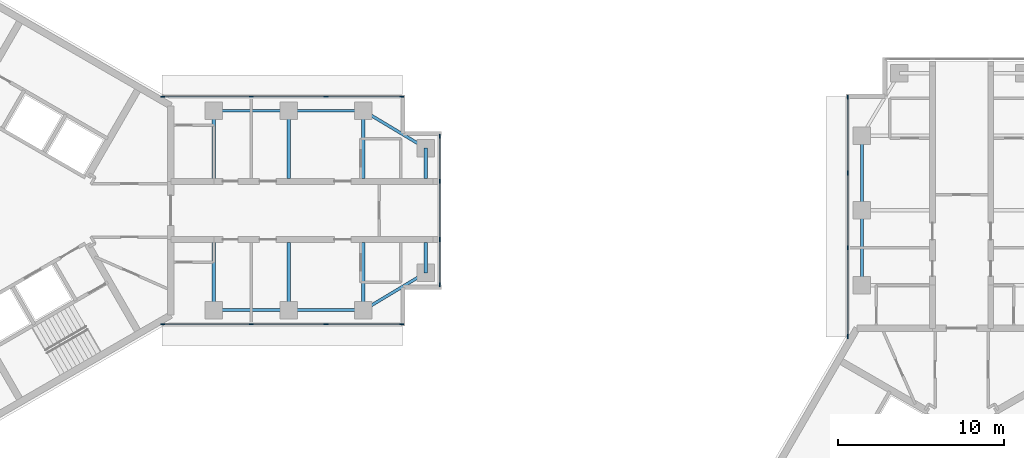
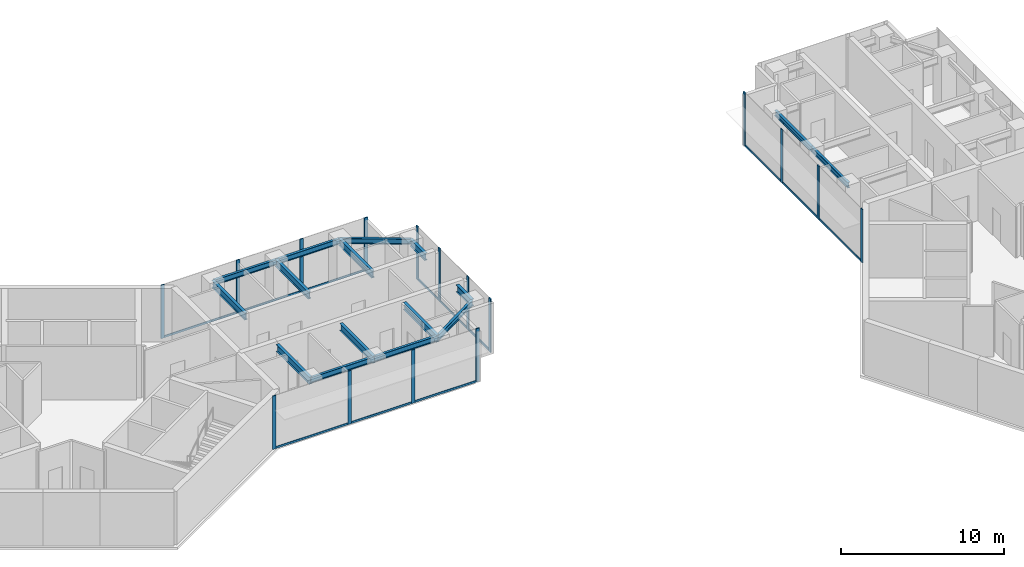
# One storey, part 2 of 11: 28 members, 16 beams, 4 elements without a shape of their own.
"""IFC4 building model written with IfcOpenShell, lengths in metres."""

import ifcopenshell
import ifcopenshell.guid

model = None  # the IFC model being written
_history = None  # IfcOwnerHistory: only IFC2X3 demands one
_inside = {}  # id of a spatial element -> (the spatial element, [elements in it])
_under = {}  # id of a project, library or spatial element -> (it, [spatial elements below it])
_declared = {}  # id of a project -> (the project, [libraries it declares])
_typed = {}  # id of a type object -> (the type object, [elements of that type])
_made_of = {}  # id of a material, layer set ... -> (it, [elements and type objects made of it])


def new_model(schema):
    """Start an empty IFC model of exactly this schema.

    Asked for "IFC4X3", IfcOpenShell would pick the latest addendum, in which some entities
    have other attributes; the version numbers below select the first issue.
    IFC2X3 requires an IfcOwnerHistory on every rooted entity: one is made here for all.
    """
    global model, _history
    if schema == "IFC4X3":
        model = ifcopenshell.file(schema_version=(4, 3, 0, 0))
    else:
        model = ifcopenshell.file(schema=schema)
    _inside.clear()
    _under.clear()
    _declared.clear()
    _typed.clear()
    _made_of.clear()
    _history = None
    if model.schema == "IFC2X3":
        org = make("IfcOrganization", Name="unknown")
        user = make(
            "IfcPersonAndOrganization",
            ThePerson=make("IfcPerson", FamilyName="unknown"),
            TheOrganization=org,
        )
        app = make(
            "IfcApplication",
            ApplicationDeveloper=org,
            Version="unknown",
            ApplicationFullName="unknown",
            ApplicationIdentifier="unknown",
        )
        _history = make(
            "IfcOwnerHistory",
            OwningUser=user,
            OwningApplication=app,
            ChangeAction="ADDED",
            CreationDate=0,
        )
    return model


def make(cls, **values):
    """One entity of the class cls with the attributes given. An attribute that is None is left unset."""
    return model.create_entity(
        cls, **{name: value for name, value in values.items() if value is not None}
    )


def rooted(cls, **values):
    """An entity with a GlobalId (a new one), such as an element, a storey or a relation."""
    return make(cls, GlobalId=ifcopenshell.guid.new(), OwnerHistory=_history, **values)


def si_unit(unit_type, name, prefix=None):
    """IfcSIUnit, for example si_unit("LENGTHUNIT", "METRE", prefix="MILLI")."""
    return make("IfcSIUnit", UnitType=unit_type, Prefix=prefix, Name=name)


def assignment(units):
    """IfcUnitAssignment: the units of a project."""
    return None if units is None else make("IfcUnitAssignment", Units=units)


def point(xyz):
    """IfcCartesianPoint."""
    return None if xyz is None else make("IfcCartesianPoint", Coordinates=xyz)


def direction(xyz):
    """IfcDirection."""
    return None if xyz is None else make("IfcDirection", DirectionRatios=xyz)


def frame(location, z_axis=None, x_axis=None):
    """IfcAxis2Placement3D, a coordinate frame: its origin and axes. An axis left out is left unset."""
    return make(
        "IfcAxis2Placement3D",
        Location=point(location),
        Axis=direction(z_axis),
        RefDirection=direction(x_axis),
    )


def frame_2d(location, x_axis=None):
    """IfcAxis2Placement2D, a coordinate frame in the plane: its origin and x axis."""
    return make(
        "IfcAxis2Placement2D", Location=point(location), RefDirection=direction(x_axis)
    )


def origin():
    """The frame at (0, 0, 0) with its axes left unset."""
    return frame((0.0, 0.0, 0.0))


def origin_2d():
    """The frame at (0, 0) in the plane with its x axis left unset."""
    return frame_2d((0.0, 0.0))


def place(relative_to, where):
    """IfcLocalPlacement: puts the frame where relative to a parent placement (None: the world)."""
    return make(
        "IfcLocalPlacement", PlacementRelTo=relative_to, RelativePlacement=where
    )


def context(
    kind, dimensions, precision=None, world=None, true_north=None, identifier=None
):
    """IfcGeometricRepresentationContext, for example the 3D "Model" context."""
    return make(
        "IfcGeometricRepresentationContext",
        ContextIdentifier=identifier,
        ContextType=kind,
        CoordinateSpaceDimension=dimensions,
        Precision=precision,
        WorldCoordinateSystem=world,
        TrueNorth=true_north,
    )


def subcontext(parent, identifier, kind, view, scale=None):
    """IfcGeometricRepresentationSubContext, for example "Body" below "Model"."""
    return make(
        "IfcGeometricRepresentationSubContext",
        ContextIdentifier=identifier,
        ContextType=kind,
        ParentContext=parent,
        TargetScale=scale,
        TargetView=view,
    )


def project(units=None, contexts=None):
    """IfcProject with its units and contexts."""
    return rooted(
        "IfcProject",
        Name="project",
        RepresentationContexts=contexts,
        UnitsInContext=assignment(units),
    )


def spatial(cls, under=None, at=None, **own):
    """A site, building, storey or space (cls), placed at a placement, below another one or the project."""
    s = rooted(cls, ObjectPlacement=at, **own)
    if under is not None:
        _under.setdefault(under.id(), (under, []))[1].append(s)
    return s


def profile(cls, at=None, kind="AREA", **sizes):
    """A parametric profile (cls). Its sizes go by their IFC names, for example OverallWidth=200.0."""
    return make(cls, ProfileType=kind, Position=at, **sizes)


def rectangle(**sizes):
    """IfcRectangleProfileDef."""
    return profile("IfcRectangleProfileDef", **sizes)


def i_section(**sizes):
    """IfcIShapeProfileDef."""
    return profile("IfcIShapeProfileDef", **sizes)


def extrude(swept, where, along, depth):
    """IfcExtrudedAreaSolid: the profile swept, set in the frame where, extruded along a direction by depth."""
    return make(
        "IfcExtrudedAreaSolid",
        SweptArea=swept,
        Position=where,
        ExtrudedDirection=direction(along),
        Depth=depth,
    )


def shape(context_of_items, identifier, shape_type, items):
    """IfcShapeRepresentation: the items that make up one representation, for example the "Body"."""
    return make(
        "IfcShapeRepresentation",
        ContextOfItems=context_of_items,
        RepresentationIdentifier=identifier,
        RepresentationType=shape_type,
        Items=items,
    )


def material(Name=None, Category=None):
    """IfcMaterial."""
    return make("IfcMaterial", Name=Name, Category=Category)


def material_profile(
    of_material, cross_section, Name=None, Category=None, Priority=None
):
    """IfcMaterialProfile: a cross section and its material."""
    return make(
        "IfcMaterialProfile",
        Name=Name,
        Material=of_material,
        Profile=cross_section,
        Priority=Priority,
        Category=Category,
    )


def profile_set(profiles, Name=None, composite=None):
    """IfcMaterialProfileSet."""
    return make(
        "IfcMaterialProfileSet",
        Name=Name,
        MaterialProfiles=profiles,
        CompositeProfile=composite,
    )


def made_of(thing, what):
    """Note that an element or type object is made of a material, layer set ...; save() writes the relation."""
    if what is not None:
        _made_of.setdefault(what.id(), (what, []))[1].append(thing)
    return thing


def type_object(cls, material=None, **own):
    """A type object (cls), such as IfcWallType, which elements share."""
    return made_of(rooted(cls, **own), material)


def element(
    cls,
    number,
    at=None,
    inside=None,
    cuts=None,
    type_object=None,
    material=None,
    context=None,
    identifier="Body",
    shape_type=None,
    held_by="IfcProductDefinitionShape",
    body=None,
    shapes=None,
    **own,
):
    """One element of the class cls, such as IfcWall. Its Tag is "e" and its number.

    at: its placement. inside: the storey or other place that contains it. cuts: it is an
    opening in that element (IfcRelVoidsElement). A single representation is given by context,
    identifier, shape_type and body (its items); several are given by shapes. held_by: the class
    of the entity that holds the representations. save() writes the other relations.
    """
    e = rooted(cls, Tag="e%d" % number, ObjectPlacement=at, **own)
    if body is not None:
        shapes = [shape(context, identifier, shape_type, body)]
    if shapes is not None:
        e.Representation = make(held_by, Representations=shapes)
    if inside is not None:
        _inside.setdefault(inside.id(), (inside, []))[1].append(e)
    if cuts is not None:
        rooted(
            "IfcRelVoidsElement", RelatingBuildingElement=cuts, RelatedOpeningElement=e
        )
    if type_object is not None:
        _typed.setdefault(type_object.id(), (type_object, []))[1].append(e)
    return made_of(e, material)


def aggregate(whole, parts):
    """IfcRelAggregates: a whole, such as a stair, and the parts it consists of."""
    return rooted("IfcRelAggregates", RelatingObject=whole, RelatedObjects=parts)


def save(model, path):
    """Write the relations noted so far, then the file.

    IfcRelAggregates (storeys below a building ...), IfcRelContainedInSpatialStructure (elements
    in a storey), IfcRelDefinesByType, IfcRelAssociatesMaterial and IfcRelDeclares: one each for
    every whole, place, type object, material and project.
    """
    for whole, parts in _under.values():
        aggregate(whole, parts)
    for where, things in _inside.values():
        rooted(
            "IfcRelContainedInSpatialStructure",
            RelatedElements=things,
            RelatingStructure=where,
        )
    for kind, things in _typed.values():
        rooted("IfcRelDefinesByType", RelatedObjects=things, RelatingType=kind)
    for what, things in _made_of.values():
        rooted("IfcRelAssociatesMaterial", RelatedObjects=things, RelatingMaterial=what)
    for by, libraries in _declared.values():
        rooted("IfcRelDeclares", RelatingContext=by, RelatedDefinitions=libraries)
    model.write(path)


model = new_model("IFC4")

# Units and contexts
model_context = context("Model", 3, precision=1e-05, world=origin(), true_north=direction((0.0, 1.0)))
body_context = subcontext(model_context, "Body", "Model", "MODEL_VIEW")
ifc_project = project(units=[si_unit("LENGTHUNIT", "METRE"), si_unit("AREAUNIT", "SQUARE_METRE"), si_unit("VOLUMEUNIT", "CUBIC_METRE"), si_unit("PLANEANGLEUNIT", "RADIAN"), si_unit("MASSUNIT", "GRAM", prefix="KILO")], contexts=[model_context])

# Site, building, storey
site_placement = place(None, origin())
site = spatial("IfcSite", under=ifc_project, at=site_placement, CompositionType="ELEMENT")
building_placement = place(site_placement, origin())
building = spatial("IfcBuilding", under=site, at=building_placement, Name="Upepo Twin Towers", CompositionType="ELEMENT")
storey_placement = place(building_placement, frame((0.0, 0.0, 247.5)))
storey = spatial("IfcBuildingStorey", under=building, at=storey_placement, Name="L60", CompositionType="ELEMENT", Elevation=247.5)

# Beams
ifc_material_1 = material(Name="Steel S355", Category="steel")
ifc_material_profile_1 = material_profile(ifc_material_1, i_section(OverallWidth=0.177978515625, OverallDepth=0.406494140625, WebThickness=0.0078125, FlangeThickness=0.0126953125, FilletRadius=0.01025390625, at=origin_2d()), Name="UB 406x178x60")
ifc_profile_set_1 = profile_set([ifc_material_profile_1], Name="Steel S355")
beam_type_1 = type_object("IfcBeamType", Name="Beam UB 406x178x60", PredefinedType="BEAM", material=ifc_profile_set_1)
for number, where, z_axis, x_axis, name in (
    (1, (13.5, 6.0, 3.5966796875), (1.0, 0.0, 0.0), (0.0, 1.0, 0.0), "T1 edge beam AL 13.5-18.0"),
    (2, (18.0, 6.0, 3.5966796875), (1.0, 0.0, 0.0), (0.0, 1.0, 0.0), "T1 edge beam AL 18.0-22.5"),
):
    element("IfcBeam", number, at=place(storey_placement, frame(where, z_axis=z_axis, x_axis=x_axis)), inside=storey, type_object=beam_type_1, Name=name, PredefinedType="BEAM", context=body_context, shape_type="SweptSolid", body=[
        extrude(i_section(OverallWidth=0.177978515625, OverallDepth=0.406494140625, WebThickness=0.0078125, FlangeThickness=0.0126953125, FilletRadius=0.01025390625, at=origin_2d()), origin(), (0.0, 0.0, 1.0), 4.5),
    ])
beam_1_placement = place(storey_placement, frame((22.5, 6.0, 3.5966796875), z_axis=(0.857492925713, -0.514495755428, 0.0), x_axis=(0.514495755428, 0.857492925713, 0.0)))
element("IfcBeam", 3, at=beam_1_placement, inside=storey, type_object=beam_type_1, Name="T1 nose edge beam AL", PredefinedType="BEAM", context=body_context, shape_type="SweptSolid", body=[
    extrude(i_section(OverallWidth=0.177978515625, OverallDepth=0.406494140625, WebThickness=0.0078125, FlangeThickness=0.0126953125, FilletRadius=0.01025390625, at=origin_2d()), origin(), (0.0, 0.0, 1.0), 4.373291015625),
])
for number, where, z_axis, x_axis, name in (
    (4, (13.5, -6.0, 3.5966796875), (1.0, 0.0, 0.0), (0.0, 1.0, 0.0), "T1 edge beam AR 13.5-18.0"),
    (5, (18.0, -6.0, 3.5966796875), (1.0, 0.0, 0.0), (0.0, 1.0, 0.0), "T1 edge beam AR 18.0-22.5"),
):
    element("IfcBeam", number, at=place(storey_placement, frame(where, z_axis=z_axis, x_axis=x_axis)), inside=storey, type_object=beam_type_1, Name=name, PredefinedType="BEAM", context=body_context, shape_type="SweptSolid", body=[
        extrude(i_section(OverallWidth=0.177978515625, OverallDepth=0.406494140625, WebThickness=0.0078125, FlangeThickness=0.0126953125, FilletRadius=0.01025390625, at=origin_2d()), origin(), (0.0, 0.0, 1.0), 4.5),
    ])
beam_2_placement = place(storey_placement, frame((22.5, -6.0, 3.5966796875), z_axis=(0.857492925713, 0.514495755428, 0.0), x_axis=(-0.514495755428, 0.857492925713, 0.0)))
element("IfcBeam", 6, at=beam_2_placement, inside=storey, type_object=beam_type_1, Name="T1 nose edge beam AR", PredefinedType="BEAM", context=body_context, shape_type="SweptSolid", body=[
    extrude(i_section(OverallWidth=0.177978515625, OverallDepth=0.406494140625, WebThickness=0.0078125, FlangeThickness=0.0126953125, FilletRadius=0.01025390625, at=origin_2d()), origin(), (0.0, 0.0, 1.0), 4.373291015625),
])
for number, where, z_axis, x_axis, name in (
    (7, (52.5, -4.5, 3.5966796875), (0.0, 1.0, 0.0), (-1.0, 0.0, 0.0), "T2 edge beam AL 13.5-18.0"),
    (8, (52.5, 0.0, 3.5966796875), (0.0, 1.0, 0.0), (-1.0, 0.0, 0.0), "T2 edge beam AL 18.0-22.5"),
):
    element("IfcBeam", number, at=place(storey_placement, frame(where, z_axis=z_axis, x_axis=x_axis)), inside=storey, type_object=beam_type_1, Name=name, PredefinedType="BEAM", context=body_context, shape_type="SweptSolid", body=[
        extrude(i_section(OverallWidth=0.177978515625, OverallDepth=0.406494140625, WebThickness=0.0078125, FlangeThickness=0.0126953125, FilletRadius=0.01025390625, at=origin_2d()), origin(), (0.0, 0.0, 1.0), 4.5),
    ])
ifc_material_2 = material(Name="Steel S355", Category="steel")
ifc_material_profile_2 = material_profile(ifc_material_2, i_section(OverallWidth=0.2099609375, OverallDepth=0.53662109375, WebThickness=0.0107421875, FlangeThickness=0.017333984375, FilletRadius=0.0126953125, at=origin_2d()), Name="UB 533x210x101")
ifc_profile_set_2 = profile_set([ifc_material_profile_2], Name="Steel S355")
beam_type_2 = type_object("IfcBeamType", Name="Beam UB 533x210x101", PredefinedType="BEAM", material=ifc_profile_set_2)
for number, where, z_axis, x_axis, name in (
    (9, (26.25, 3.75, 3.53173828125), (0.0, -1.0, 0.0), (1.0, 0.0, 0.0), "T1 nose beam AL"),
    (10, (26.25, -3.75, 3.53173828125), (0.0, 1.0, 0.0), (-1.0, 0.0, 0.0), "T1 nose beam AR"),
):
    element("IfcBeam", number, at=place(storey_placement, frame(where, z_axis=z_axis, x_axis=x_axis)), inside=storey, type_object=beam_type_2, Name=name, PredefinedType="BEAM", context=body_context, shape_type="SweptSolid", body=[
        extrude(i_section(OverallWidth=0.2099609375, OverallDepth=0.53662109375, WebThickness=0.0107421875, FlangeThickness=0.017333984375, FilletRadius=0.0126953125, at=origin_2d()), origin(), (0.0, 0.0, 1.0), 1.824951171875),
    ])
ifc_material_3 = material(Name="Steel S355", Category="steel")
ifc_material_profile_3 = material_profile(ifc_material_3, i_section(OverallWidth=0.209228515625, OverallDepth=0.533203125, WebThickness=0.010009765625, FlangeThickness=0.015625, FilletRadius=0.0126953125, at=origin_2d()), Name="UB 533x210x92")
ifc_profile_set_3 = profile_set([ifc_material_profile_3], Name="Steel S355")
beam_type_3 = type_object("IfcBeamType", Name="Beam UB 533x210x92", PredefinedType="BEAM", material=ifc_profile_set_3)
for number, where, z_axis, x_axis, name in (
    (11, (13.5, 6.0, 3.533447265625), (0.0, -1.0, 0.0), (1.0, 0.0, 0.0), "T1 girder AL at 13.5"),
    (12, (18.0, 6.0, 3.533447265625), (0.0, -1.0, 0.0), (1.0, 0.0, 0.0), "T1 girder AL at 18.0"),
    (13, (22.5, 6.0, 3.533447265625), (0.0, -1.0, 0.0), (1.0, 0.0, 0.0), "T1 girder AL at 22.5"),
    (14, (13.5, -6.0, 3.533447265625), (0.0, 1.0, 0.0), (-1.0, 0.0, 0.0), "T1 girder AR at 13.5"),
    (15, (18.0, -6.0, 3.533447265625), (0.0, 1.0, 0.0), (-1.0, 0.0, 0.0), "T1 girder AR at 18.0"),
    (16, (22.5, -6.0, 3.533447265625), (0.0, 1.0, 0.0), (-1.0, 0.0, 0.0), "T1 girder AR at 22.5"),
):
    element("IfcBeam", number, at=place(storey_placement, frame(where, z_axis=z_axis, x_axis=x_axis)), inside=storey, type_object=beam_type_3, Name=name, PredefinedType="BEAM", context=body_context, shape_type="SweptSolid", body=[
        extrude(i_section(OverallWidth=0.209228515625, OverallDepth=0.533203125, WebThickness=0.010009765625, FlangeThickness=0.015625, FilletRadius=0.0126953125, at=origin_2d()), origin(), (0.0, 0.0, 1.0), 4.074951171875),
    ])

# Curtain wall, members
ifc_material_4 = material(Name="Aluminium and fritted glass", Category="aluminium")
curtain_wall_type = type_object("IfcCurtainWallType", Name="Tower curtain wall TW4, fritted glass", PredefinedType="NOTDEFINED", material=ifc_material_4)
curtain_wall_1_placement = place(storey_placement, origin())
curtain_wall_1 = element("IfcCurtainWall", 17, at=curtain_wall_1_placement, inside=storey, type_object=curtain_wall_type, Name="T1 L60 wing A flank L curtain wall", PredefinedType="NOTDEFINED")
ifc_material_5 = material(Name="Aluminium mullion", Category="aluminium")
ifc_material_profile_4 = material_profile(ifc_material_5, rectangle(XDim=0.06494140625, YDim=0.25, at=origin_2d()), Name="MULLION 65x250")
ifc_profile_set_4 = profile_set([ifc_material_profile_4], Name="Aluminium mullion")
member_type_1 = type_object("IfcMemberType", Name="Mullion 65x250 TW4", PredefinedType="MULLION", material=ifc_profile_set_4)
member_1_placement = place(storey_placement, frame((10.419677734375, 6.85009765625, 0.0), z_axis=(0.0, 0.0, 1.0), x_axis=(0.0, 1.0, 0.0)))
member_1 = element("IfcMember", 18, at=member_1_placement, type_object=member_type_1, Name="T1 L60 wing A flank L curtain wall mullion 1", PredefinedType="MULLION", context=body_context, shape_type="SweptSolid", body=[
    extrude(rectangle(XDim=0.06494140625, YDim=0.25, at=origin_2d()), origin(), (0.0, 0.0, 1.0), 4.0),
])
member_2_placement = place(storey_placement, frame((15.75, 6.85009765625, 0.0), z_axis=(0.0, 0.0, 1.0), x_axis=(0.0, 1.0, 0.0)))
member_2 = element("IfcMember", 19, at=member_2_placement, type_object=member_type_1, Name="T1 L60 wing A flank L curtain wall mullion 2", PredefinedType="MULLION", context=body_context, shape_type="SweptSolid", body=[
    extrude(rectangle(XDim=0.06494140625, YDim=0.25, at=origin_2d()), origin(), (0.0, 0.0, 1.0), 4.0),
])
member_3_placement = place(storey_placement, frame((20.25, 6.85009765625, 0.0), z_axis=(0.0, 0.0, 1.0), x_axis=(0.0, 1.0, 0.0)))
member_3 = element("IfcMember", 20, at=member_3_placement, type_object=member_type_1, Name="T1 L60 wing A flank L curtain wall mullion 3", PredefinedType="MULLION", context=body_context, shape_type="SweptSolid", body=[
    extrude(rectangle(XDim=0.06494140625, YDim=0.25, at=origin_2d()), origin(), (0.0, 0.0, 1.0), 4.0),
])
member_4_placement = place(storey_placement, frame((24.8173828125, 6.85009765625, 0.0), z_axis=(0.0, 0.0, 1.0), x_axis=(0.0, 1.0, 0.0)))
member_4 = element("IfcMember", 21, at=member_4_placement, type_object=member_type_1, Name="T1 L60 wing A flank L curtain wall mullion 4", PredefinedType="MULLION", context=body_context, shape_type="SweptSolid", body=[
    extrude(rectangle(XDim=0.06494140625, YDim=0.25, at=origin_2d()), origin(), (0.0, 0.0, 1.0), 4.0),
])

curtain_wall_2_placement = place(storey_placement, origin())
curtain_wall_2 = element("IfcCurtainWall", 22, at=curtain_wall_2_placement, inside=storey, type_object=curtain_wall_type, Name="T1 L60 wing A flank R curtain wall", PredefinedType="NOTDEFINED")
member_5_placement = place(storey_placement, frame((24.8173828125, -6.85009765625, 0.0), z_axis=(0.0, 0.0, 1.0), x_axis=(0.0, -1.0, 0.0)))
member_5 = element("IfcMember", 23, at=member_5_placement, type_object=member_type_1, Name="T1 L60 wing A flank R curtain wall mullion 1", PredefinedType="MULLION", context=body_context, shape_type="SweptSolid", body=[
    extrude(rectangle(XDim=0.06494140625, YDim=0.25, at=origin_2d()), origin(), (0.0, 0.0, 1.0), 4.0),
])
member_6_placement = place(storey_placement, frame((20.25, -6.85009765625, 0.0), z_axis=(0.0, 0.0, 1.0), x_axis=(0.0, -1.0, 0.0)))
member_6 = element("IfcMember", 24, at=member_6_placement, type_object=member_type_1, Name="T1 L60 wing A flank R curtain wall mullion 2", PredefinedType="MULLION", context=body_context, shape_type="SweptSolid", body=[
    extrude(rectangle(XDim=0.06494140625, YDim=0.25, at=origin_2d()), origin(), (0.0, 0.0, 1.0), 4.0),
])
member_7_placement = place(storey_placement, frame((15.75, -6.85009765625, 0.0), z_axis=(0.0, 0.0, 1.0), x_axis=(0.0, -1.0, 0.0)))
member_7 = element("IfcMember", 25, at=member_7_placement, type_object=member_type_1, Name="T1 L60 wing A flank R curtain wall mullion 3", PredefinedType="MULLION", context=body_context, shape_type="SweptSolid", body=[
    extrude(rectangle(XDim=0.06494140625, YDim=0.25, at=origin_2d()), origin(), (0.0, 0.0, 1.0), 4.0),
])
member_8_placement = place(storey_placement, frame((10.419677734375, -6.85009765625, 0.0), z_axis=(0.0, 0.0, 1.0), x_axis=(0.0, -1.0, 0.0)))
member_8 = element("IfcMember", 26, at=member_8_placement, type_object=member_type_1, Name="T1 L60 wing A flank R curtain wall mullion 4", PredefinedType="MULLION", context=body_context, shape_type="SweptSolid", body=[
    extrude(rectangle(XDim=0.06494140625, YDim=0.25, at=origin_2d()), origin(), (0.0, 0.0, 1.0), 4.0),
])

curtain_wall_3_placement = place(storey_placement, origin())
curtain_wall_3 = element("IfcCurtainWall", 27, at=curtain_wall_3_placement, inside=storey, type_object=curtain_wall_type, Name="T1 L60 wing A nose curtain wall", PredefinedType="NOTDEFINED")
member_9_placement = place(storey_placement, frame((27.10009765625, -4.467529296875, 0.0), z_axis=(0.0, 0.0, 1.0), x_axis=(-1.0, 0.0, 0.0)))
member_9 = element("IfcMember", 28, at=member_9_placement, type_object=member_type_1, Name="T1 L60 wing A nose curtain wall mullion 1", PredefinedType="MULLION", context=body_context, shape_type="SweptSolid", body=[
    extrude(rectangle(XDim=0.06494140625, YDim=0.25, at=origin_2d()), origin(), (0.0, 0.0, 1.0), 4.0),
])
member_10_placement = place(storey_placement, frame((27.10009765625, -1.75, 0.0), z_axis=(0.0, 0.0, 1.0), x_axis=(-1.0, 0.0, 0.0)))
member_10 = element("IfcMember", 29, at=member_10_placement, type_object=member_type_1, Name="T1 L60 wing A nose curtain wall mullion 2", PredefinedType="MULLION", context=body_context, shape_type="SweptSolid", body=[
    extrude(rectangle(XDim=0.06494140625, YDim=0.25, at=origin_2d()), origin(), (0.0, 0.0, 1.0), 4.0),
])
member_11_placement = place(storey_placement, frame((27.10009765625, 1.75, 0.0), z_axis=(0.0, 0.0, 1.0), x_axis=(-1.0, 0.0, 0.0)))
member_11 = element("IfcMember", 30, at=member_11_placement, type_object=member_type_1, Name="T1 L60 wing A nose curtain wall mullion 3", PredefinedType="MULLION", context=body_context, shape_type="SweptSolid", body=[
    extrude(rectangle(XDim=0.06494140625, YDim=0.25, at=origin_2d()), origin(), (0.0, 0.0, 1.0), 4.0),
])
member_12_placement = place(storey_placement, frame((27.10009765625, 4.467529296875, 0.0), z_axis=(0.0, 0.0, 1.0), x_axis=(-1.0, 0.0, 0.0)))
member_12 = element("IfcMember", 31, at=member_12_placement, type_object=member_type_1, Name="T1 L60 wing A nose curtain wall mullion 4", PredefinedType="MULLION", context=body_context, shape_type="SweptSolid", body=[
    extrude(rectangle(XDim=0.06494140625, YDim=0.25, at=origin_2d()), origin(), (0.0, 0.0, 1.0), 4.0),
])

curtain_wall_4_placement = place(storey_placement, origin())
curtain_wall_4 = element("IfcCurtainWall", 32, at=curtain_wall_4_placement, inside=storey, type_object=curtain_wall_type, Name="T2 L60 wing A flank L curtain wall", PredefinedType="NOTDEFINED")
member_13_placement = place(storey_placement, frame((51.64990234375, -7.580322265625, 0.0), z_axis=(0.0, 0.0, 1.0), x_axis=(-1.0, 0.0, 0.0)))
member_13 = element("IfcMember", 33, at=member_13_placement, type_object=member_type_1, Name="T2 L60 wing A flank L curtain wall mullion 1", PredefinedType="MULLION", context=body_context, shape_type="SweptSolid", body=[
    extrude(rectangle(XDim=0.06494140625, YDim=0.25, at=origin_2d()), origin(), (0.0, 0.0, 1.0), 4.0),
])
member_14_placement = place(storey_placement, frame((51.64990234375, -2.25, 0.0), z_axis=(0.0, 0.0, 1.0), x_axis=(-1.0, 0.0, 0.0)))
member_14 = element("IfcMember", 34, at=member_14_placement, type_object=member_type_1, Name="T2 L60 wing A flank L curtain wall mullion 2", PredefinedType="MULLION", context=body_context, shape_type="SweptSolid", body=[
    extrude(rectangle(XDim=0.06494140625, YDim=0.25, at=origin_2d()), origin(), (0.0, 0.0, 1.0), 4.0),
])
member_15_placement = place(storey_placement, frame((51.64990234375, 2.25, 0.0), z_axis=(0.0, 0.0, 1.0), x_axis=(-1.0, 0.0, 0.0)))
member_15 = element("IfcMember", 35, at=member_15_placement, type_object=member_type_1, Name="T2 L60 wing A flank L curtain wall mullion 3", PredefinedType="MULLION", context=body_context, shape_type="SweptSolid", body=[
    extrude(rectangle(XDim=0.06494140625, YDim=0.25, at=origin_2d()), origin(), (0.0, 0.0, 1.0), 4.0),
])
member_16_placement = place(storey_placement, frame((51.64990234375, 6.8173828125, 0.0), z_axis=(0.0, 0.0, 1.0), x_axis=(-1.0, 0.0, 0.0)))
member_16 = element("IfcMember", 36, at=member_16_placement, type_object=member_type_1, Name="T2 L60 wing A flank L curtain wall mullion 4", PredefinedType="MULLION", context=body_context, shape_type="SweptSolid", body=[
    extrude(rectangle(XDim=0.06494140625, YDim=0.25, at=origin_2d()), origin(), (0.0, 0.0, 1.0), 4.0),
])

# Member
ifc_material_6 = material(Name="Aluminium transom", Category="aluminium")
ifc_material_profile_5 = material_profile(ifc_material_6, rectangle(XDim=0.06494140625, YDim=0.14990234375, at=origin_2d()), Name="TRANSOM 65x150")
ifc_profile_set_5 = profile_set([ifc_material_profile_5], Name="Aluminium transom")
member_type_2 = type_object("IfcMemberType", Name="Transom 65x150 TW4", PredefinedType="USERDEFINED", material=ifc_profile_set_5)
member_17_placement = place(storey_placement, frame((10.4521484375, 6.85009765625, 0.074951171875), z_axis=(1.0, 0.0, 0.0), x_axis=(0.0, 1.0, 0.0)))
member_17 = element("IfcMember", 37, at=member_17_placement, type_object=member_type_2, Name="T1 L60 wing A flank L curtain wall transom 1", ObjectType="TRANSOM", PredefinedType="USERDEFINED", context=body_context, shape_type="SweptSolid", body=[
    extrude(rectangle(XDim=0.06494140625, YDim=0.14990234375, at=origin_2d()), origin(), (0.0, 0.0, 1.0), 5.265380859375),
])

member_18_placement = place(storey_placement, frame((15.782470703125, 6.85009765625, 0.074951171875), z_axis=(1.0, 0.0, 0.0), x_axis=(0.0, 1.0, 0.0)))
member_18 = element("IfcMember", 38, at=member_18_placement, type_object=member_type_2, Name="T1 L60 wing A flank L curtain wall transom 2", ObjectType="TRANSOM", PredefinedType="USERDEFINED", context=body_context, shape_type="SweptSolid", body=[
    extrude(rectangle(XDim=0.06494140625, YDim=0.14990234375, at=origin_2d()), origin(), (0.0, 0.0, 1.0), 4.43505859375),
])

member_19_placement = place(storey_placement, frame((20.282470703125, 6.85009765625, 0.074951171875), z_axis=(1.0, 0.0, 0.0), x_axis=(0.0, 1.0, 0.0)))
member_19 = element("IfcMember", 39, at=member_19_placement, type_object=member_type_2, Name="T1 L60 wing A flank L curtain wall transom 3", ObjectType="TRANSOM", PredefinedType="USERDEFINED", context=body_context, shape_type="SweptSolid", body=[
    extrude(rectangle(XDim=0.06494140625, YDim=0.14990234375, at=origin_2d()), origin(), (0.0, 0.0, 1.0), 4.50244140625),
])

aggregate(curtain_wall_1, [member_1, member_2, member_3, member_4, member_17, member_18, member_19])

member_20_placement = place(storey_placement, frame((24.784912109375, -6.85009765625, 0.074951171875), z_axis=(-1.0, 0.0, 0.0), x_axis=(0.0, -1.0, 0.0)))
member_20 = element("IfcMember", 40, at=member_20_placement, type_object=member_type_2, Name="T1 L60 wing A flank R curtain wall transom 1", ObjectType="TRANSOM", PredefinedType="USERDEFINED", context=body_context, shape_type="SweptSolid", body=[
    extrude(rectangle(XDim=0.06494140625, YDim=0.14990234375, at=origin_2d()), origin(), (0.0, 0.0, 1.0), 4.50244140625),
])

member_21_placement = place(storey_placement, frame((20.217529296875, -6.85009765625, 0.074951171875), z_axis=(-1.0, 0.0, 0.0), x_axis=(0.0, -1.0, 0.0)))
member_21 = element("IfcMember", 41, at=member_21_placement, type_object=member_type_2, Name="T1 L60 wing A flank R curtain wall transom 2", ObjectType="TRANSOM", PredefinedType="USERDEFINED", context=body_context, shape_type="SweptSolid", body=[
    extrude(rectangle(XDim=0.06494140625, YDim=0.14990234375, at=origin_2d()), origin(), (0.0, 0.0, 1.0), 4.43505859375),
])

member_22_placement = place(storey_placement, frame((15.717529296875, -6.85009765625, 0.074951171875), z_axis=(-1.0, 0.0, 0.0), x_axis=(0.0, -1.0, 0.0)))
member_22 = element("IfcMember", 42, at=member_22_placement, type_object=member_type_2, Name="T1 L60 wing A flank R curtain wall transom 3", ObjectType="TRANSOM", PredefinedType="USERDEFINED", context=body_context, shape_type="SweptSolid", body=[
    extrude(rectangle(XDim=0.06494140625, YDim=0.14990234375, at=origin_2d()), origin(), (0.0, 0.0, 1.0), 5.265380859375),
])

aggregate(curtain_wall_2, [member_5, member_6, member_7, member_8, member_20, member_21, member_22])

member_23_placement = place(storey_placement, frame((27.10009765625, -4.43505859375, 0.074951171875), z_axis=(0.0, 1.0, 0.0), x_axis=(-1.0, 0.0, 0.0)))
member_23 = element("IfcMember", 43, at=member_23_placement, type_object=member_type_2, Name="T1 L60 wing A nose curtain wall transom 1", ObjectType="TRANSOM", PredefinedType="USERDEFINED", context=body_context, shape_type="SweptSolid", body=[
    extrude(rectangle(XDim=0.06494140625, YDim=0.14990234375, at=origin_2d()), origin(), (0.0, 0.0, 1.0), 2.652587890625),
])

member_24_placement = place(storey_placement, frame((27.10009765625, -1.717529296875, 0.074951171875), z_axis=(0.0, 1.0, 0.0), x_axis=(-1.0, 0.0, 0.0)))
member_24 = element("IfcMember", 44, at=member_24_placement, type_object=member_type_2, Name="T1 L60 wing A nose curtain wall transom 2", ObjectType="TRANSOM", PredefinedType="USERDEFINED", context=body_context, shape_type="SweptSolid", body=[
    extrude(rectangle(XDim=0.06494140625, YDim=0.14990234375, at=origin_2d()), origin(), (0.0, 0.0, 1.0), 3.43505859375),
])

member_25_placement = place(storey_placement, frame((27.10009765625, 1.782470703125, 0.074951171875), z_axis=(0.0, 1.0, 0.0), x_axis=(-1.0, 0.0, 0.0)))
member_25 = element("IfcMember", 45, at=member_25_placement, type_object=member_type_2, Name="T1 L60 wing A nose curtain wall transom 3", ObjectType="TRANSOM", PredefinedType="USERDEFINED", context=body_context, shape_type="SweptSolid", body=[
    extrude(rectangle(XDim=0.06494140625, YDim=0.14990234375, at=origin_2d()), origin(), (0.0, 0.0, 1.0), 2.652587890625),
])

aggregate(curtain_wall_3, [member_9, member_10, member_11, member_12, member_23, member_24, member_25])

member_26_placement = place(storey_placement, frame((51.64990234375, -7.5478515625, 0.074951171875), z_axis=(0.0, 1.0, 0.0), x_axis=(-1.0, 0.0, 0.0)))
member_26 = element("IfcMember", 46, at=member_26_placement, type_object=member_type_2, Name="T2 L60 wing A flank L curtain wall transom 1", ObjectType="TRANSOM", PredefinedType="USERDEFINED", context=body_context, shape_type="SweptSolid", body=[
    extrude(rectangle(XDim=0.06494140625, YDim=0.14990234375, at=origin_2d()), origin(), (0.0, 0.0, 1.0), 5.265380859375),
])

member_27_placement = place(storey_placement, frame((51.64990234375, -2.217529296875, 0.074951171875), z_axis=(0.0, 1.0, 0.0), x_axis=(-1.0, 0.0, 0.0)))
member_27 = element("IfcMember", 47, at=member_27_placement, type_object=member_type_2, Name="T2 L60 wing A flank L curtain wall transom 2", ObjectType="TRANSOM", PredefinedType="USERDEFINED", context=body_context, shape_type="SweptSolid", body=[
    extrude(rectangle(XDim=0.06494140625, YDim=0.14990234375, at=origin_2d()), origin(), (0.0, 0.0, 1.0), 4.43505859375),
])

member_28_placement = place(storey_placement, frame((51.64990234375, 2.282470703125, 0.074951171875), z_axis=(0.0, 1.0, 0.0), x_axis=(-1.0, 0.0, 0.0)))
member_28 = element("IfcMember", 48, at=member_28_placement, type_object=member_type_2, Name="T2 L60 wing A flank L curtain wall transom 3", ObjectType="TRANSOM", PredefinedType="USERDEFINED", context=body_context, shape_type="SweptSolid", body=[
    extrude(rectangle(XDim=0.06494140625, YDim=0.14990234375, at=origin_2d()), origin(), (0.0, 0.0, 1.0), 4.50244140625),
])

aggregate(curtain_wall_4, [member_13, member_14, member_15, member_16, member_26, member_27, member_28])

save(model, "model.ifc")
